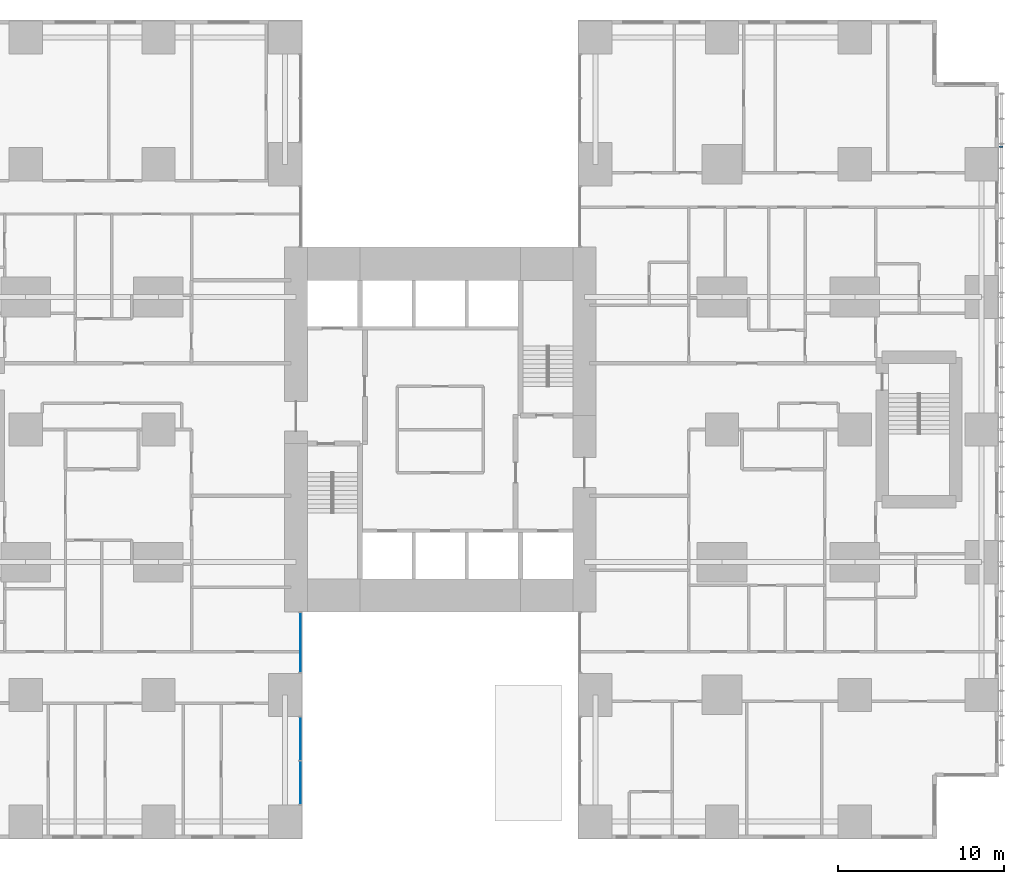
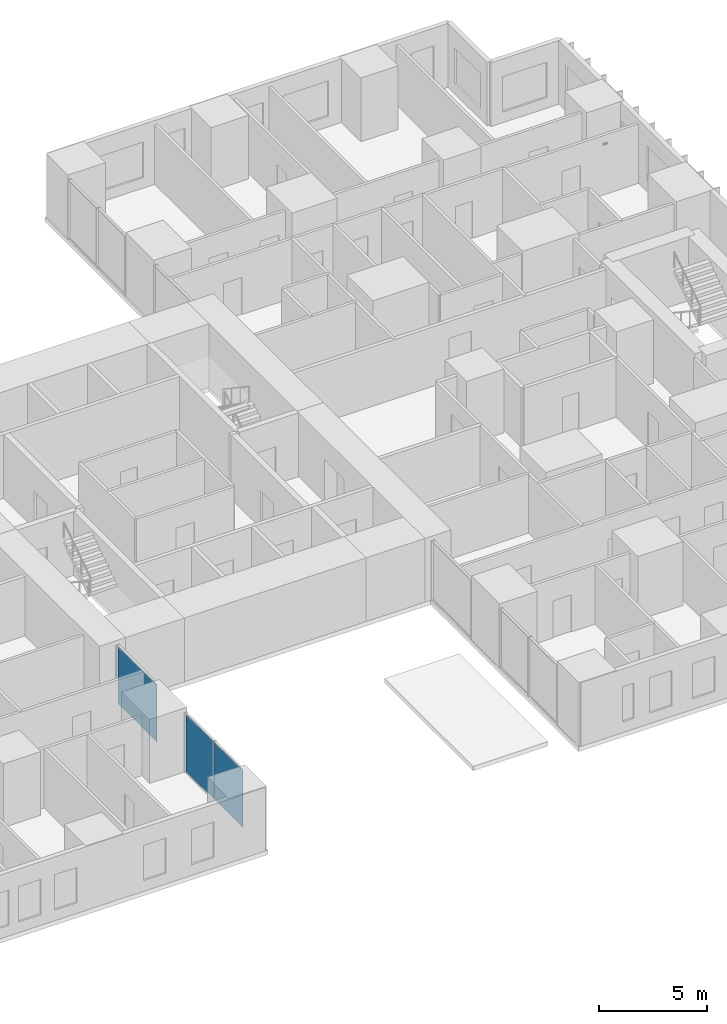
# One storey, part 8 of 22: 3 plates, 1 member, 2 elements without a shape of their own.
"""IFC4 building model written with IfcOpenShell, lengths in metres."""

from ifc_helpers import new_model, si_unit, direction, frame, origin, origin_2d, place, context, subcontext, project, spatial, rectangle, hollow_rectangle, extrude, material, layer, layer_set, material_profile, profile_set, type_object, element, aggregate, save


model = new_model("IFC4")

# Units and contexts
model_context = context("Model", 3, precision=1e-05, world=origin(), true_north=direction((0.0, 1.0)))
body_context = subcontext(model_context, "Body", "Model", "MODEL_VIEW")
ifc_project = project(units=[si_unit("LENGTHUNIT", "METRE"), si_unit("AREAUNIT", "SQUARE_METRE"), si_unit("VOLUMEUNIT", "CUBIC_METRE"), si_unit("PLANEANGLEUNIT", "RADIAN"), si_unit("MASSUNIT", "GRAM", prefix="KILO")], contexts=[model_context])

# Site, building, storey
site_placement = place(None, origin())
site = spatial("IfcSite", under=ifc_project, at=site_placement, CompositionType="ELEMENT")
building_placement = place(site_placement, origin())
building = spatial("IfcBuilding", under=site, at=building_placement, Name="Cleftline Residences", CompositionType="ELEMENT")
storey_placement = place(building_placement, frame((0.0, 0.0, 29.60009765625)))
storey = spatial("IfcBuildingStorey", under=building, at=storey_placement, Name="L06", CompositionType="ELEMENT", Elevation=29.60009765625)

# Member
ifc_material_1 = material(Name="Steel S355, hot-dip galvanised", Category="steel")
ifc_material_profile = material_profile(ifc_material_1, hollow_rectangle(XDim=0.10009765625, YDim=0.10009765625, WallThickness=0.008056640625, InnerFilletRadius=0.008056640625, OuterFilletRadius=0.011962890625, at=origin_2d()))
ifc_profile_set = profile_set([ifc_material_profile], Name="Steel S355, hot-dip galvanised")
member_type = type_object("IfcMemberType", Name="BAGUETTE BRACKET SHS 100X100X8", PredefinedType="USERDEFINED", material=ifc_profile_set)
member_placement = place(storey_placement, frame((66.699951171875, 41.050048828125, -0.150146484375), z_axis=(1.0, 0.0, 0.0), x_axis=(0.0, 1.0, 0.0)))
element("IfcMember", 1, at=member_placement, inside=storey, type_object=member_type, Name="Baguette bracket", ObjectType="BAGUETTE BRACKET", PredefinedType="USERDEFINED", context=body_context, shape_type="SweptSolid", body=[
    extrude(hollow_rectangle(XDim=0.10009765625, YDim=0.10009765625, WallThickness=0.008056640625, InnerFilletRadius=0.008056640625, OuterFilletRadius=0.011962890625, at=origin_2d()), origin(), (0.0, 0.0, 1.0), 0.25),
])

# Curtain wall, plates
ifc_material_2 = material(Name="Aluminium framed curtain wall", Category="aluminium")
ifc_layer_1 = layer(ifc_material_2, 0.199951171875)
ifc_layer_set_1 = layer_set([ifc_layer_1], Name="CW1 CLEFT GLAZING")
curtain_wall_type = type_object("IfcCurtainWallType", Name="CW1 CLEFT GLAZING", PredefinedType="NOTDEFINED", material=ifc_layer_set_1)
curtain_wall_1_placement = place(storey_placement, origin())
curtain_wall_1 = element("IfcCurtainWall", 2, at=curtain_wall_1_placement, inside=storey, type_object=curtain_wall_type, Name="Curtain wall CW1", PredefinedType="NOTDEFINED")
ifc_material_3 = material(Name="Laminated clear glass", Category="glass")
ifc_layer_2 = layer(ifc_material_3, 0.028076171875)
ifc_layer_set_2 = layer_set([ifc_layer_2], Name="CW1 GLASS PANEL")
plate_type = type_object("IfcPlateType", Name="CW1 GLASS PANEL", PredefinedType="CURTAIN_PANEL", material=ifc_layer_set_2)
plate_1_placement = place(storey_placement, frame((24.574951171875, 2.702392578125, 0.059814453125), z_axis=(0.0, 0.0, 1.0), x_axis=(0.0, 1.0, 0.0)))
plate_1 = element("IfcPlate", 3, at=plate_1_placement, type_object=plate_type, Name="CW1 panel 1.1", PredefinedType="CURTAIN_PANEL", context=body_context, shape_type="SweptSolid", body=[
    extrude(rectangle(XDim=2.5849609375, YDim=0.028076171875, at=origin_2d()), origin(), (0.0, 0.0, 1.0), 3.22998046875),
])
plate_2_placement = place(storey_placement, frame((24.574951171875, 5.347412109375, 0.059814453125), z_axis=(0.0, 0.0, 1.0), x_axis=(0.0, 1.0, 0.0)))
plate_2 = element("IfcPlate", 4, at=plate_2_placement, type_object=plate_type, Name="CW1 panel 2.1", PredefinedType="CURTAIN_PANEL", context=body_context, shape_type="SweptSolid", body=[
    extrude(rectangle(XDim=2.5849609375, YDim=0.028076171875, at=origin_2d()), origin(), (0.0, 0.0, 1.0), 3.22998046875),
])
aggregate(curtain_wall_1, [plate_1, plate_2])

# Curtain wall, plate
curtain_wall_2_placement = place(storey_placement, origin())
curtain_wall_2 = element("IfcCurtainWall", 5, at=curtain_wall_2_placement, inside=storey, type_object=curtain_wall_type, Name="Curtain wall CW1", PredefinedType="NOTDEFINED")
plate_3_placement = place(storey_placement, frame((24.574951171875, 11.14990234375, 0.059814453125), z_axis=(0.0, 0.0, 1.0), x_axis=(0.0, 1.0, 0.0)))
plate_3 = element("IfcPlate", 6, at=plate_3_placement, type_object=plate_type, Name="CW1 panel 1.1", PredefinedType="CURTAIN_PANEL", context=body_context, shape_type="SweptSolid", body=[
    extrude(rectangle(XDim=3.580078125, YDim=0.028076171875, at=origin_2d()), origin(), (0.0, 0.0, 1.0), 3.22998046875),
])
aggregate(curtain_wall_2, [plate_3])

save(model, "model.ifc")
